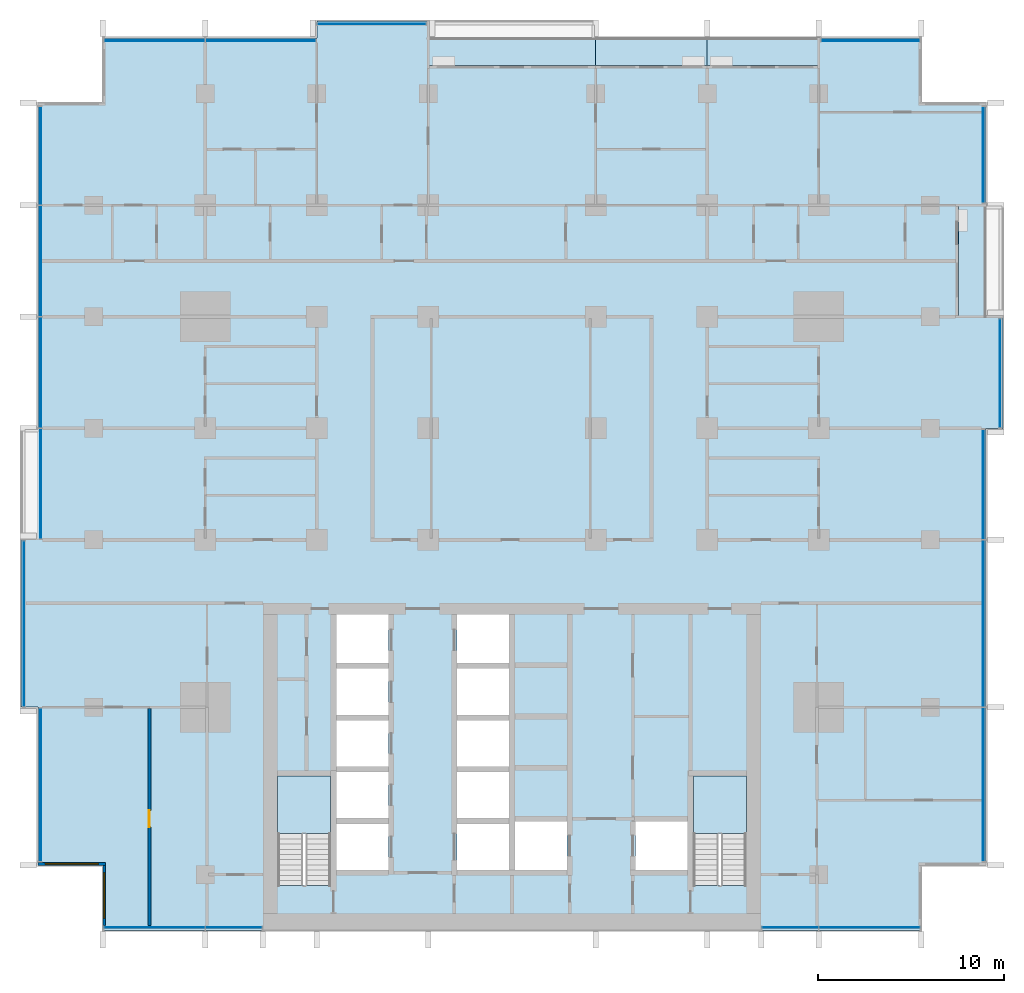
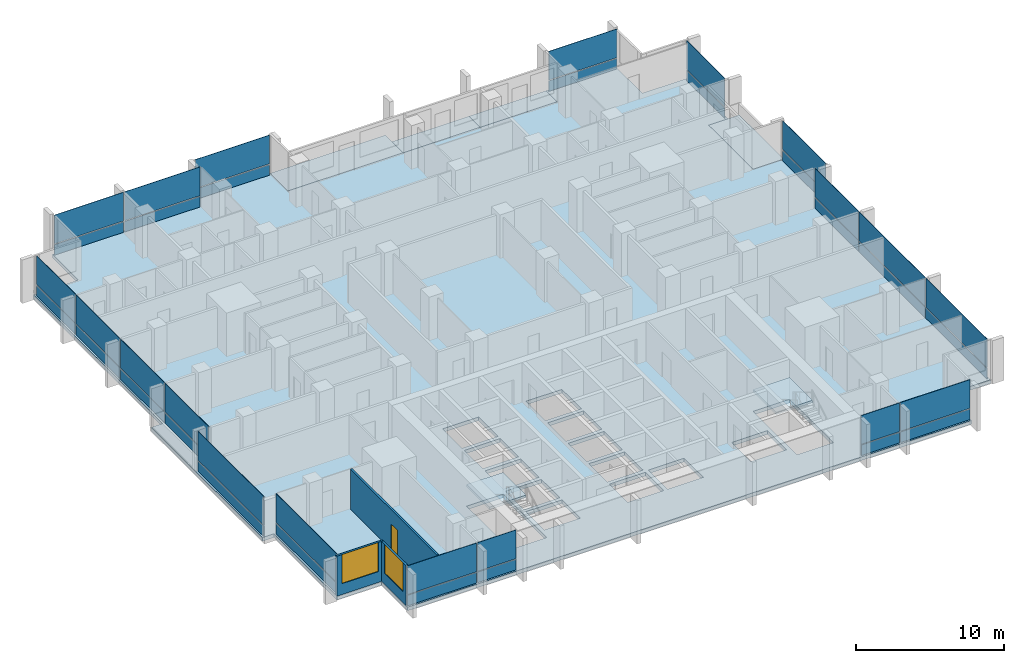
# One storey, part 6 of 17: 38 plates, 7 slabs, 3 walls, 2 windows, 1 door, 3 openings, 13 elements without a shape of their own.
"""IFC4 building model written with IfcOpenShell, lengths in metres."""

from ifc_helpers import new_model, si_unit, direction, frame, frame_2d, origin, origin_2d, place, context, subcontext, project, spatial, polyline, rectangle, outline, extrude, material, layer, layer_set, type_object, element, fill, aggregate, save


model = new_model("IFC4")

# Units and contexts
model_context = context("Model", 3, precision=1e-05, world=origin(), true_north=direction((0.0, 1.0)))
body_context = subcontext(model_context, "Body", "Model", "MODEL_VIEW")
ifc_project = project(units=[si_unit("LENGTHUNIT", "METRE"), si_unit("AREAUNIT", "SQUARE_METRE"), si_unit("VOLUMEUNIT", "CUBIC_METRE"), si_unit("PLANEANGLEUNIT", "RADIAN"), si_unit("MASSUNIT", "GRAM", prefix="KILO")], contexts=[model_context])

# Site, building, storey
site_placement = place(None, origin())
site = spatial("IfcSite", under=ifc_project, at=site_placement, CompositionType="ELEMENT")
building_placement = place(site_placement, origin())
building = spatial("IfcBuilding", under=site, at=building_placement, Name="Finial Court Residences", CompositionType="ELEMENT")
storey_placement = place(building_placement, frame((0.0, 0.0, 124.300048828125)))
storey = spatial("IfcBuildingStorey", under=building, at=storey_placement, Name="L31", CompositionType="ELEMENT", Elevation=124.300048828125)

# Slabs
ifc_material_1 = material(Name="Concrete C35/45", Category="concrete")
ifc_layer_1 = layer(ifc_material_1, 0.199951171875)
ifc_layer_set_1 = layer_set([ifc_layer_1], Name="Balcony slab, Concrete C35/45 200")
slab_type_1 = type_object("IfcSlabType", Name="Balcony slab, Concrete C35/45 200", PredefinedType="FLOOR", material=ifc_layer_set_1)
slab_1_placement = place(storey_placement, frame((0.0, 0.0, -0.199951171875)))
element("IfcSlab", 1, at=slab_1_placement, inside=storey, type_object=slab_type_1, Name="Balcony L31-N4", PredefinedType="FLOOR", context=body_context, shape_type="SweptSolid", body=[
    extrude(outline(polyline([(-4.5, 22.5), (-4.5, 23.39990234375), (4.5, 23.39990234375), (4.5, 22.5), (4.5, 21.0), (-4.5, 21.0), (-4.5, 22.5)])), origin(), (0.0, 0.0, 1.0), 0.199951171875),
])
slab_2_placement = place(storey_placement, frame((0.0, 0.0, -0.199951171875)))
element("IfcSlab", 2, at=slab_2_placement, inside=storey, type_object=slab_type_1, Name="Balcony L31-N5", PredefinedType="FLOOR", context=body_context, shape_type="SweptSolid", body=[
    extrude(outline(polyline([(10.5, 21.0), (10.5, 22.5), (4.5, 22.5), (4.5, 21.0), (10.5, 21.0)])), origin(), (0.0, 0.0, 1.0), 0.199951171875),
])
slab_3_placement = place(storey_placement, frame((0.0, 0.0, -0.199951171875)))
element("IfcSlab", 3, at=slab_3_placement, inside=storey, type_object=slab_type_1, Name="Balcony L31-N6", PredefinedType="FLOOR", context=body_context, shape_type="SweptSolid", body=[
    extrude(outline(polyline([(16.5, 21.0), (16.5, 22.5), (10.5, 22.5), (10.5, 21.0), (16.5, 21.0)])), origin(), (0.0, 0.0, 1.0), 0.199951171875),
])
slab_4_placement = place(storey_placement, frame((0.0, 0.0, -0.199951171875)))
element("IfcSlab", 4, at=slab_4_placement, inside=storey, type_object=slab_type_1, Name="Balcony L31-E5", PredefinedType="FLOOR", context=body_context, shape_type="SweptSolid", body=[
    extrude(outline(polyline([(24.0, 13.5), (25.5, 13.5), (26.39990234375, 13.5), (26.39990234375, 7.5), (25.5, 7.5), (24.0, 7.5), (24.0, 13.5)])), origin(), (0.0, 0.0, 1.0), 0.199951171875),
])

# Curtain wall, plates
ifc_material_2 = material(Name="Bronze anodised aluminium", Category="aluminium")
curtain_wall_type = type_object("IfcCurtainWallType", Name="Unitised curtain wall, lower and middle zones", PredefinedType="NOTDEFINED", material=ifc_material_2)
curtain_wall_1_placement = place(storey_placement, origin())
curtain_wall_1 = element("IfcCurtainWall", 5, at=curtain_wall_1_placement, inside=storey, type_object=curtain_wall_type, Name="E-L31-CW-N1", PredefinedType="NOTDEFINED")
ifc_layer_2 = layer(ifc_material_2, 0.0400390625)
ifc_layer_set_2 = layer_set([ifc_layer_2], Name="CW1 spandrel panel 40")
plate_type_1 = type_object("IfcPlateType", Name="CW1 spandrel panel 40", PredefinedType="CURTAIN_PANEL", material=ifc_layer_set_2)
plate_1_placement = place(storey_placement, frame((-19.23388671875, 22.35009765625, 0.0), z_axis=(0.0, 0.0, 1.0), x_axis=(1.0, 0.0, 0.0)))
plate_1 = element("IfcPlate", 6, at=plate_1_placement, type_object=plate_type_1, Name="CW1 spandrel 1.1", PredefinedType="CURTAIN_PANEL", context=body_context, shape_type="SweptSolid", body=[
    extrude(rectangle(XDim=5.402587890625, YDim=0.0400390625, at=origin_2d()), origin(), (0.0, 0.0, 1.0), 0.867431640625),
])
plate_2_placement = place(storey_placement, frame((-13.516357421875, 22.35009765625, 0.0), z_axis=(0.0, 0.0, 1.0), x_axis=(1.0, 0.0, 0.0)))
plate_2 = element("IfcPlate", 7, at=plate_2_placement, type_object=plate_type_1, Name="CW1 spandrel 2.1", PredefinedType="CURTAIN_PANEL", context=body_context, shape_type="SweptSolid", body=[
    extrude(rectangle(XDim=5.902587890625, YDim=0.0400390625, at=origin_2d()), origin(), (0.0, 0.0, 1.0), 0.867431640625),
])

# Curtain wall, plate
curtain_wall_2_placement = place(storey_placement, origin())
curtain_wall_2 = element("IfcCurtainWall", 8, at=curtain_wall_2_placement, inside=storey, type_object=curtain_wall_type, Name="E-L31-CW-N2", PredefinedType="NOTDEFINED")
plate_3_placement = place(storey_placement, frame((-7.53759765625, 23.25, 0.0), z_axis=(0.0, 0.0, 1.0), x_axis=(1.0, 0.0, 0.0)))
plate_3 = element("IfcPlate", 9, at=plate_3_placement, type_object=plate_type_1, Name="CW1 spandrel 1.1", PredefinedType="CURTAIN_PANEL", context=body_context, shape_type="SweptSolid", body=[
    extrude(rectangle(XDim=5.794921875, YDim=0.0400390625, at=origin_2d()), origin(), (0.0, 0.0, 1.0), 0.867431640625),
])

curtain_wall_3_placement = place(storey_placement, origin())
curtain_wall_3 = element("IfcCurtainWall", 10, at=curtain_wall_3_placement, inside=storey, type_object=curtain_wall_type, Name="E-L31-CW-N3", PredefinedType="NOTDEFINED")
plate_4_placement = place(storey_placement, frame((19.28759765625, 22.35009765625, 0.0), z_axis=(0.0, 0.0, 1.0), x_axis=(1.0, 0.0, 0.0)))
plate_4 = element("IfcPlate", 11, at=plate_4_placement, type_object=plate_type_1, Name="CW1 spandrel 1.1", PredefinedType="CURTAIN_PANEL", context=body_context, shape_type="SweptSolid", body=[
    extrude(rectangle(XDim=5.294921875, YDim=0.0400390625, at=origin_2d()), origin(), (0.0, 0.0, 1.0), 0.867431640625),
])

# Curtain wall, plates
curtain_wall_4_placement = place(storey_placement, origin())
curtain_wall_4 = element("IfcCurtainWall", 12, at=curtain_wall_4_placement, inside=storey, type_object=curtain_wall_type, Name="E-L31-CW-E4", PredefinedType="NOTDEFINED")
plate_5_placement = place(storey_placement, frame((25.35009765625, -17.65869140625, 0.0), z_axis=(0.0, 0.0, 1.0), x_axis=(0.0, 1.0, 0.0)))
plate_5 = element("IfcPlate", 13, at=plate_5_placement, type_object=plate_type_1, Name="CW1 spandrel 1.1", PredefinedType="CURTAIN_PANEL", context=body_context, shape_type="SweptSolid", body=[
    extrude(rectangle(XDim=8.25244140625, YDim=0.0400390625, at=origin_2d()), origin(), (0.0, 0.0, 1.0), 0.867431640625),
])
plate_6_placement = place(storey_placement, frame((25.35009765625, -9.0, 0.0), z_axis=(0.0, 0.0, 1.0), x_axis=(0.0, 1.0, 0.0)))
plate_6 = element("IfcPlate", 14, at=plate_6_placement, type_object=plate_type_1, Name="CW1 spandrel 2.1", PredefinedType="CURTAIN_PANEL", context=body_context, shape_type="SweptSolid", body=[
    extrude(rectangle(XDim=8.93505859375, YDim=0.0400390625, at=origin_2d()), origin(), (0.0, 0.0, 1.0), 0.867431640625),
])
plate_7_placement = place(storey_placement, frame((25.35009765625, -1.516357421875, 0.0), z_axis=(0.0, 0.0, 1.0), x_axis=(0.0, 1.0, 0.0)))
plate_7 = element("IfcPlate", 15, at=plate_7_placement, type_object=plate_type_1, Name="CW1 spandrel 3.1", PredefinedType="CURTAIN_PANEL", context=body_context, shape_type="SweptSolid", body=[
    extrude(rectangle(XDim=5.902587890625, YDim=0.0400390625, at=origin_2d()), origin(), (0.0, 0.0, 1.0), 0.867431640625),
])

# Curtain wall, plate
curtain_wall_5_placement = place(storey_placement, origin())
curtain_wall_5 = element("IfcCurtainWall", 16, at=curtain_wall_5_placement, inside=storey, type_object=curtain_wall_type, Name="E-L31-CW-E5", PredefinedType="NOTDEFINED")
plate_8_placement = place(storey_placement, frame((26.25, 4.46240234375, 0.0), z_axis=(0.0, 0.0, 1.0), x_axis=(0.0, 1.0, 0.0)))
plate_8 = element("IfcPlate", 17, at=plate_8_placement, type_object=plate_type_1, Name="CW1 spandrel 1.1", PredefinedType="CURTAIN_PANEL", context=body_context, shape_type="SweptSolid", body=[
    extrude(rectangle(XDim=5.794921875, YDim=0.0400390625, at=origin_2d()), origin(), (0.0, 0.0, 1.0), 0.867431640625),
])

curtain_wall_6_placement = place(storey_placement, origin())
curtain_wall_6 = element("IfcCurtainWall", 18, at=curtain_wall_6_placement, inside=storey, type_object=curtain_wall_type, Name="E-L31-CW-E6", PredefinedType="NOTDEFINED")
plate_9_placement = place(storey_placement, frame((25.35009765625, 16.21240234375, 0.0), z_axis=(0.0, 0.0, 1.0), x_axis=(0.0, 1.0, 0.0)))
plate_9 = element("IfcPlate", 19, at=plate_9_placement, type_object=plate_type_1, Name="CW1 spandrel 1.1", PredefinedType="CURTAIN_PANEL", context=body_context, shape_type="SweptSolid", body=[
    extrude(rectangle(XDim=5.14501953125, YDim=0.0400390625, at=origin_2d()), origin(), (0.0, 0.0, 1.0), 0.867431640625),
])

# Curtain wall, plates
curtain_wall_7_placement = place(storey_placement, origin())
curtain_wall_7 = element("IfcCurtainWall", 20, at=curtain_wall_7_placement, inside=storey, type_object=curtain_wall_type, Name="E-L31-CW-S7", PredefinedType="NOTDEFINED")
plate_10_placement = place(storey_placement, frame((-19.23388671875, -25.35009765625, 0.0), z_axis=(0.0, 0.0, 1.0), x_axis=(1.0, 0.0, 0.0)))
plate_10 = element("IfcPlate", 21, at=plate_10_placement, type_object=plate_type_1, Name="CW1 spandrel 1.1", PredefinedType="CURTAIN_PANEL", context=body_context, shape_type="SweptSolid", body=[
    extrude(rectangle(XDim=5.402587890625, YDim=0.0400390625, at=origin_2d()), origin(), (0.0, 0.0, 1.0), 0.867431640625),
])
plate_11_placement = place(storey_placement, frame((-14.96630859375, -25.35009765625, 0.0), z_axis=(0.0, 0.0, 1.0), x_axis=(1.0, 0.0, 0.0)))
plate_11 = element("IfcPlate", 22, at=plate_11_placement, type_object=plate_type_1, Name="CW1 spandrel 2.1", PredefinedType="CURTAIN_PANEL", context=body_context, shape_type="SweptSolid", body=[
    extrude(rectangle(XDim=3.00244140625, YDim=0.0400390625, at=origin_2d()), origin(), (0.0, 0.0, 1.0), 0.867431640625),
])

curtain_wall_8_placement = place(storey_placement, origin())
curtain_wall_8 = element("IfcCurtainWall", 23, at=curtain_wall_8_placement, inside=storey, type_object=curtain_wall_type, Name="E-L31-CW-S8", PredefinedType="NOTDEFINED")
plate_12_placement = place(storey_placement, frame((14.96630859375, -25.35009765625, 0.0), z_axis=(0.0, 0.0, 1.0), x_axis=(1.0, 0.0, 0.0)))
plate_12 = element("IfcPlate", 24, at=plate_12_placement, type_object=plate_type_1, Name="CW1 spandrel 1.1", PredefinedType="CURTAIN_PANEL", context=body_context, shape_type="SweptSolid", body=[
    extrude(rectangle(XDim=3.00244140625, YDim=0.0400390625, at=origin_2d()), origin(), (0.0, 0.0, 1.0), 0.867431640625),
])
plate_13_placement = place(storey_placement, frame((19.23388671875, -25.35009765625, 0.0), z_axis=(0.0, 0.0, 1.0), x_axis=(1.0, 0.0, 0.0)))
plate_13 = element("IfcPlate", 25, at=plate_13_placement, type_object=plate_type_1, Name="CW1 spandrel 2.1", PredefinedType="CURTAIN_PANEL", context=body_context, shape_type="SweptSolid", body=[
    extrude(rectangle(XDim=5.402587890625, YDim=0.0400390625, at=origin_2d()), origin(), (0.0, 0.0, 1.0), 0.867431640625),
])

# Curtain wall, plate
curtain_wall_9_placement = place(storey_placement, origin())
curtain_wall_9 = element("IfcCurtainWall", 26, at=curtain_wall_9_placement, inside=storey, type_object=curtain_wall_type, Name="E-L31-CW-W9", PredefinedType="NOTDEFINED")
plate_14_placement = place(storey_placement, frame((-25.35009765625, -17.675048828125, 0.0), z_axis=(0.0, 0.0, 1.0), x_axis=(0.0, 1.0, 0.0)))
plate_14 = element("IfcPlate", 27, at=plate_14_placement, type_object=plate_type_1, Name="CW1 spandrel 1.1", PredefinedType="CURTAIN_PANEL", context=body_context, shape_type="SweptSolid", body=[
    extrude(rectangle(XDim=8.219970703125, YDim=0.0400390625, at=origin_2d()), origin(), (0.0, 0.0, 1.0), 0.867431640625),
])

curtain_wall_10_placement = place(storey_placement, origin())
curtain_wall_10 = element("IfcCurtainWall", 28, at=curtain_wall_10_placement, inside=storey, type_object=curtain_wall_type, Name="E-L31-CW-W10", PredefinedType="NOTDEFINED")
plate_15_placement = place(storey_placement, frame((-26.25, -9.0, 0.0), z_axis=(0.0, 0.0, 1.0), x_axis=(0.0, 1.0, 0.0)))
plate_15 = element("IfcPlate", 29, at=plate_15_placement, type_object=plate_type_1, Name="CW1 spandrel 1.1", PredefinedType="CURTAIN_PANEL", context=body_context, shape_type="SweptSolid", body=[
    extrude(rectangle(XDim=8.8701171875, YDim=0.0400390625, at=origin_2d()), origin(), (0.0, 0.0, 1.0), 0.867431640625),
])

# Curtain wall, plates
curtain_wall_11_placement = place(storey_placement, origin())
curtain_wall_11 = element("IfcCurtainWall", 30, at=curtain_wall_11_placement, inside=storey, type_object=curtain_wall_type, Name="E-L31-CW-W11", PredefinedType="NOTDEFINED")
plate_16_placement = place(storey_placement, frame((-25.35009765625, -1.48388671875, 0.0), z_axis=(0.0, 0.0, 1.0), x_axis=(0.0, 1.0, 0.0)))
plate_16 = element("IfcPlate", 31, at=plate_16_placement, type_object=plate_type_1, Name="CW1 spandrel 1.1", PredefinedType="CURTAIN_PANEL", context=body_context, shape_type="SweptSolid", body=[
    extrude(rectangle(XDim=5.902587890625, YDim=0.0400390625, at=origin_2d()), origin(), (0.0, 0.0, 1.0), 0.867431640625),
])
plate_17_placement = place(storey_placement, frame((-25.35009765625, 4.5, 0.0), z_axis=(0.0, 0.0, 1.0), x_axis=(0.0, 1.0, 0.0)))
plate_17 = element("IfcPlate", 32, at=plate_17_placement, type_object=plate_type_1, Name="CW1 spandrel 2.1", PredefinedType="CURTAIN_PANEL", context=body_context, shape_type="SweptSolid", body=[
    extrude(rectangle(XDim=5.93505859375, YDim=0.0400390625, at=origin_2d()), origin(), (0.0, 0.0, 1.0), 0.867431640625),
])
plate_18_placement = place(storey_placement, frame((-25.35009765625, 10.5, 0.0), z_axis=(0.0, 0.0, 1.0), x_axis=(0.0, 1.0, 0.0)))
plate_18 = element("IfcPlate", 33, at=plate_18_placement, type_object=plate_type_1, Name="CW1 spandrel 3.1", PredefinedType="CURTAIN_PANEL", context=body_context, shape_type="SweptSolid", body=[
    extrude(rectangle(XDim=5.93505859375, YDim=0.0400390625, at=origin_2d()), origin(), (0.0, 0.0, 1.0), 0.867431640625),
])
plate_19_placement = place(storey_placement, frame((-25.35009765625, 16.15869140625, 0.0), z_axis=(0.0, 0.0, 1.0), x_axis=(0.0, 1.0, 0.0)))
plate_19 = element("IfcPlate", 34, at=plate_19_placement, type_object=plate_type_1, Name="CW1 spandrel 4.1", PredefinedType="CURTAIN_PANEL", context=body_context, shape_type="SweptSolid", body=[
    extrude(rectangle(XDim=5.25244140625, YDim=0.0400390625, at=origin_2d()), origin(), (0.0, 0.0, 1.0), 0.867431640625),
])

# Plate
ifc_material_3 = material(Name="Clear low-e glass", Category="glass")
ifc_layer_3 = layer(ifc_material_3, 0.031982421875)
ifc_layer_set_3 = layer_set([ifc_layer_3], Name="CW1 vision glass 32")
plate_type_2 = type_object("IfcPlateType", Name="CW1 vision glass 32", PredefinedType="CURTAIN_PANEL", material=ifc_layer_set_3)
plate_20_placement = place(storey_placement, frame((-19.23388671875, 22.35009765625, 0.9326171875), z_axis=(0.0, 0.0, 1.0), x_axis=(1.0, 0.0, 0.0)))
plate_20 = element("IfcPlate", 35, at=plate_20_placement, type_object=plate_type_2, Name="CW1 glass 1.2", PredefinedType="CURTAIN_PANEL", context=body_context, shape_type="SweptSolid", body=[
    extrude(rectangle(XDim=5.402587890625, YDim=0.031982421875, at=origin_2d()), origin(), (0.0, 0.0, 1.0), 2.367431640625),
])

plate_21_placement = place(storey_placement, frame((-13.516357421875, 22.35009765625, 0.9326171875), z_axis=(0.0, 0.0, 1.0), x_axis=(1.0, 0.0, 0.0)))
plate_21 = element("IfcPlate", 36, at=plate_21_placement, type_object=plate_type_2, Name="CW1 glass 2.2", PredefinedType="CURTAIN_PANEL", context=body_context, shape_type="SweptSolid", body=[
    extrude(rectangle(XDim=5.902587890625, YDim=0.031982421875, at=origin_2d()), origin(), (0.0, 0.0, 1.0), 2.367431640625),
])

aggregate(curtain_wall_1, [plate_1, plate_20, plate_2, plate_21])

plate_22_placement = place(storey_placement, frame((-7.53759765625, 23.25, 0.9326171875), z_axis=(0.0, 0.0, 1.0), x_axis=(1.0, 0.0, 0.0)))
plate_22 = element("IfcPlate", 37, at=plate_22_placement, type_object=plate_type_2, Name="CW1 glass 1.2", PredefinedType="CURTAIN_PANEL", context=body_context, shape_type="SweptSolid", body=[
    extrude(rectangle(XDim=5.794921875, YDim=0.031982421875, at=origin_2d()), origin(), (0.0, 0.0, 1.0), 2.367431640625),
])

aggregate(curtain_wall_2, [plate_3, plate_22])

plate_23_placement = place(storey_placement, frame((19.28759765625, 22.35009765625, 0.9326171875), z_axis=(0.0, 0.0, 1.0), x_axis=(1.0, 0.0, 0.0)))
plate_23 = element("IfcPlate", 38, at=plate_23_placement, type_object=plate_type_2, Name="CW1 glass 1.2", PredefinedType="CURTAIN_PANEL", context=body_context, shape_type="SweptSolid", body=[
    extrude(rectangle(XDim=5.294921875, YDim=0.031982421875, at=origin_2d()), origin(), (0.0, 0.0, 1.0), 2.367431640625),
])

aggregate(curtain_wall_3, [plate_4, plate_23])

plate_24_placement = place(storey_placement, frame((25.35009765625, -17.65869140625, 0.9326171875), z_axis=(0.0, 0.0, 1.0), x_axis=(0.0, 1.0, 0.0)))
plate_24 = element("IfcPlate", 39, at=plate_24_placement, type_object=plate_type_2, Name="CW1 glass 1.2", PredefinedType="CURTAIN_PANEL", context=body_context, shape_type="SweptSolid", body=[
    extrude(rectangle(XDim=8.25244140625, YDim=0.031982421875, at=origin_2d()), origin(), (0.0, 0.0, 1.0), 2.367431640625),
])

plate_25_placement = place(storey_placement, frame((25.35009765625, -9.0, 0.9326171875), z_axis=(0.0, 0.0, 1.0), x_axis=(0.0, 1.0, 0.0)))
plate_25 = element("IfcPlate", 40, at=plate_25_placement, type_object=plate_type_2, Name="CW1 glass 2.2", PredefinedType="CURTAIN_PANEL", context=body_context, shape_type="SweptSolid", body=[
    extrude(rectangle(XDim=8.93505859375, YDim=0.031982421875, at=origin_2d()), origin(), (0.0, 0.0, 1.0), 2.367431640625),
])

plate_26_placement = place(storey_placement, frame((25.35009765625, -1.516357421875, 0.9326171875), z_axis=(0.0, 0.0, 1.0), x_axis=(0.0, 1.0, 0.0)))
plate_26 = element("IfcPlate", 41, at=plate_26_placement, type_object=plate_type_2, Name="CW1 glass 3.2", PredefinedType="CURTAIN_PANEL", context=body_context, shape_type="SweptSolid", body=[
    extrude(rectangle(XDim=5.902587890625, YDim=0.031982421875, at=origin_2d()), origin(), (0.0, 0.0, 1.0), 2.367431640625),
])

aggregate(curtain_wall_4, [plate_5, plate_24, plate_6, plate_25, plate_7, plate_26])

plate_27_placement = place(storey_placement, frame((26.25, 4.46240234375, 0.9326171875), z_axis=(0.0, 0.0, 1.0), x_axis=(0.0, 1.0, 0.0)))
plate_27 = element("IfcPlate", 42, at=plate_27_placement, type_object=plate_type_2, Name="CW1 glass 1.2", PredefinedType="CURTAIN_PANEL", context=body_context, shape_type="SweptSolid", body=[
    extrude(rectangle(XDim=5.794921875, YDim=0.031982421875, at=origin_2d()), origin(), (0.0, 0.0, 1.0), 2.367431640625),
])

aggregate(curtain_wall_5, [plate_8, plate_27])

plate_28_placement = place(storey_placement, frame((25.35009765625, 16.21240234375, 0.9326171875), z_axis=(0.0, 0.0, 1.0), x_axis=(0.0, 1.0, 0.0)))
plate_28 = element("IfcPlate", 43, at=plate_28_placement, type_object=plate_type_2, Name="CW1 glass 1.2", PredefinedType="CURTAIN_PANEL", context=body_context, shape_type="SweptSolid", body=[
    extrude(rectangle(XDim=5.14501953125, YDim=0.031982421875, at=origin_2d()), origin(), (0.0, 0.0, 1.0), 2.367431640625),
])

aggregate(curtain_wall_6, [plate_9, plate_28])

plate_29_placement = place(storey_placement, frame((-19.23388671875, -25.35009765625, 0.9326171875), z_axis=(0.0, 0.0, 1.0), x_axis=(1.0, 0.0, 0.0)))
plate_29 = element("IfcPlate", 44, at=plate_29_placement, type_object=plate_type_2, Name="CW1 glass 1.2", PredefinedType="CURTAIN_PANEL", context=body_context, shape_type="SweptSolid", body=[
    extrude(rectangle(XDim=5.402587890625, YDim=0.031982421875, at=origin_2d()), origin(), (0.0, 0.0, 1.0), 2.367431640625),
])

plate_30_placement = place(storey_placement, frame((-14.96630859375, -25.35009765625, 0.9326171875), z_axis=(0.0, 0.0, 1.0), x_axis=(1.0, 0.0, 0.0)))
plate_30 = element("IfcPlate", 45, at=plate_30_placement, type_object=plate_type_2, Name="CW1 glass 2.2", PredefinedType="CURTAIN_PANEL", context=body_context, shape_type="SweptSolid", body=[
    extrude(rectangle(XDim=3.00244140625, YDim=0.031982421875, at=origin_2d()), origin(), (0.0, 0.0, 1.0), 2.367431640625),
])

aggregate(curtain_wall_7, [plate_10, plate_29, plate_11, plate_30])

plate_31_placement = place(storey_placement, frame((14.96630859375, -25.35009765625, 0.9326171875), z_axis=(0.0, 0.0, 1.0), x_axis=(1.0, 0.0, 0.0)))
plate_31 = element("IfcPlate", 46, at=plate_31_placement, type_object=plate_type_2, Name="CW1 glass 1.2", PredefinedType="CURTAIN_PANEL", context=body_context, shape_type="SweptSolid", body=[
    extrude(rectangle(XDim=3.00244140625, YDim=0.031982421875, at=origin_2d()), origin(), (0.0, 0.0, 1.0), 2.367431640625),
])

plate_32_placement = place(storey_placement, frame((19.23388671875, -25.35009765625, 0.9326171875), z_axis=(0.0, 0.0, 1.0), x_axis=(1.0, 0.0, 0.0)))
plate_32 = element("IfcPlate", 47, at=plate_32_placement, type_object=plate_type_2, Name="CW1 glass 2.2", PredefinedType="CURTAIN_PANEL", context=body_context, shape_type="SweptSolid", body=[
    extrude(rectangle(XDim=5.402587890625, YDim=0.031982421875, at=origin_2d()), origin(), (0.0, 0.0, 1.0), 2.367431640625),
])

aggregate(curtain_wall_8, [plate_12, plate_31, plate_13, plate_32])

plate_33_placement = place(storey_placement, frame((-25.35009765625, -17.675048828125, 0.9326171875), z_axis=(0.0, 0.0, 1.0), x_axis=(0.0, 1.0, 0.0)))
plate_33 = element("IfcPlate", 48, at=plate_33_placement, type_object=plate_type_2, Name="CW1 glass 1.2", PredefinedType="CURTAIN_PANEL", context=body_context, shape_type="SweptSolid", body=[
    extrude(rectangle(XDim=8.219970703125, YDim=0.031982421875, at=origin_2d()), origin(), (0.0, 0.0, 1.0), 2.367431640625),
])

aggregate(curtain_wall_9, [plate_14, plate_33])

plate_34_placement = place(storey_placement, frame((-26.25, -9.0, 0.9326171875), z_axis=(0.0, 0.0, 1.0), x_axis=(0.0, 1.0, 0.0)))
plate_34 = element("IfcPlate", 49, at=plate_34_placement, type_object=plate_type_2, Name="CW1 glass 1.2", PredefinedType="CURTAIN_PANEL", context=body_context, shape_type="SweptSolid", body=[
    extrude(rectangle(XDim=8.8701171875, YDim=0.031982421875, at=origin_2d()), origin(), (0.0, 0.0, 1.0), 2.367431640625),
])

aggregate(curtain_wall_10, [plate_15, plate_34])

plate_35_placement = place(storey_placement, frame((-25.35009765625, -1.48388671875, 0.9326171875), z_axis=(0.0, 0.0, 1.0), x_axis=(0.0, 1.0, 0.0)))
plate_35 = element("IfcPlate", 50, at=plate_35_placement, type_object=plate_type_2, Name="CW1 glass 1.2", PredefinedType="CURTAIN_PANEL", context=body_context, shape_type="SweptSolid", body=[
    extrude(rectangle(XDim=5.902587890625, YDim=0.031982421875, at=origin_2d()), origin(), (0.0, 0.0, 1.0), 2.367431640625),
])

plate_36_placement = place(storey_placement, frame((-25.35009765625, 4.5, 0.9326171875), z_axis=(0.0, 0.0, 1.0), x_axis=(0.0, 1.0, 0.0)))
plate_36 = element("IfcPlate", 51, at=plate_36_placement, type_object=plate_type_2, Name="CW1 glass 2.2", PredefinedType="CURTAIN_PANEL", context=body_context, shape_type="SweptSolid", body=[
    extrude(rectangle(XDim=5.93505859375, YDim=0.031982421875, at=origin_2d()), origin(), (0.0, 0.0, 1.0), 2.367431640625),
])

plate_37_placement = place(storey_placement, frame((-25.35009765625, 10.5, 0.9326171875), z_axis=(0.0, 0.0, 1.0), x_axis=(0.0, 1.0, 0.0)))
plate_37 = element("IfcPlate", 52, at=plate_37_placement, type_object=plate_type_2, Name="CW1 glass 3.2", PredefinedType="CURTAIN_PANEL", context=body_context, shape_type="SweptSolid", body=[
    extrude(rectangle(XDim=5.93505859375, YDim=0.031982421875, at=origin_2d()), origin(), (0.0, 0.0, 1.0), 2.367431640625),
])

plate_38_placement = place(storey_placement, frame((-25.35009765625, 16.15869140625, 0.9326171875), z_axis=(0.0, 0.0, 1.0), x_axis=(0.0, 1.0, 0.0)))
plate_38 = element("IfcPlate", 53, at=plate_38_placement, type_object=plate_type_2, Name="CW1 glass 4.2", PredefinedType="CURTAIN_PANEL", context=body_context, shape_type="SweptSolid", body=[
    extrude(rectangle(XDim=5.25244140625, YDim=0.031982421875, at=origin_2d()), origin(), (0.0, 0.0, 1.0), 2.367431640625),
])

aggregate(curtain_wall_11, [plate_16, plate_35, plate_17, plate_36, plate_18, plate_37, plate_19, plate_38])

# Stair, slab
ifc_material_4 = material(Name="Concrete C50/60", Category="concrete")
stair_type = type_object("IfcStairType", Name="Exit stair 22 risers of 163.6 mm", PredefinedType="HALF_TURN_STAIR", material=ifc_material_4)
stair_1_placement = place(storey_placement, origin())
stair_1 = element("IfcStair", 54, at=stair_1_placement, inside=storey, type_object=stair_type, Name="L31 Exit stair ST-1", PredefinedType="HALF_TURN_STAIR")
ifc_layer_4 = layer(ifc_material_4, 0.199951171875)
ifc_layer_set_4 = layer_set([ifc_layer_4], Name="Exit stair landing")
slab_type_2 = type_object("IfcSlabType", Name="Exit stair landing", PredefinedType="LANDING", material=ifc_layer_set_4)
slab_5_placement = place(storey_placement, frame((0.0, 0.0, 1.599853515625)))
slab_5 = element("IfcSlab", 55, at=slab_5_placement, type_object=slab_type_2, Name="ST-1 landing 1", PredefinedType="LANDING", context=body_context, shape_type="SweptSolid", body=[
    extrude(outline(polyline([(-9.75, -20.300048828125), (-9.75, -17.199951171875), (-12.60009765625, -17.199951171875), (-12.60009765625, -20.300048828125), (-9.75, -20.300048828125)])), origin(), (0.0, 0.0, 1.0), 0.2001953125),
])
aggregate(stair_1, [slab_5])

stair_2_placement = place(storey_placement, origin())
stair_2 = element("IfcStair", 56, at=stair_2_placement, inside=storey, type_object=stair_type, Name="L31 Exit stair ST-2", PredefinedType="HALF_TURN_STAIR")
slab_6_placement = place(storey_placement, frame((0.0, 0.0, 1.599853515625)))
slab_6 = element("IfcSlab", 57, at=slab_6_placement, type_object=slab_type_2, Name="ST-2 landing 1", PredefinedType="LANDING", context=body_context, shape_type="SweptSolid", body=[
    extrude(outline(polyline([(12.60009765625, -20.300048828125), (12.60009765625, -17.199951171875), (9.75, -17.199951171875), (9.75, -20.300048828125), (12.60009765625, -20.300048828125)])), origin(), (0.0, 0.0, 1.0), 0.2001953125),
])
aggregate(stair_2, [slab_6])

# Slab
ifc_material_5 = material(Name="Concrete C40/50", Category="concrete")
ifc_layer_5 = layer(ifc_material_5, 0.300048828125)
ifc_layer_set_5 = layer_set([ifc_layer_5], Name="Flat plate slab 300 Concrete C40/50")
slab_type_3 = type_object("IfcSlabType", Name="Flat plate slab 300 Concrete C40/50", PredefinedType="FLOOR", material=ifc_layer_set_5)
slab_7_placement = place(storey_placement, frame((0.0, 0.0, -0.300048828125)))
element("IfcSlab", 58, at=slab_7_placement, inside=storey, type_object=slab_type_3, Name="S:SLAB:L31", PredefinedType="FLOOR", context=body_context, shape_type="SweptSolid", body=[
    extrude(outline(polyline([(-26.39990234375, 1.5), (-25.5, 1.5), (-25.5, 19.0), (-22.0, 19.0), (-22.0, 22.5), (-10.5, 22.5), (-10.5, 23.39990234375), (-4.5, 23.39990234375), (-4.5, 22.5), (-4.5, 21.0), (4.5, 21.0), (10.5, 21.0), (16.5, 21.0), (16.5, 22.5), (22.0, 22.5), (22.0, 19.0), (25.5, 19.0), (25.5, 13.5), (24.0, 13.5), (24.0, 7.5), (25.5, 7.5), (26.39990234375, 7.5), (26.39990234375, 1.5), (25.5, 1.5), (25.5, -22.0), (22.0, -22.0), (22.0, -25.5), (-22.0, -25.5), (-22.0, -22.0), (-25.5, -22.0), (-25.5, -13.5), (-26.39990234375, -13.5), (-26.39990234375, -4.5), (-26.39990234375, 1.5)]), holes=[polyline([(-6.64990234375, -19.77001953125), (-9.449951171875, -19.77001953125), (-9.449951171875, -22.25), (-6.64990234375, -22.25), (-6.64990234375, -19.77001953125)]), polyline([(-9.75, -17.199951171875), (-12.60009765625, -17.199951171875), (-12.60009765625, -23.09912109375), (-9.75, -23.09912109375), (-9.75, -17.199951171875)]), polyline([(-6.64990234375, -19.469970703125), (-6.64990234375, -16.989990234375), (-9.449951171875, -16.989990234375), (-9.449951171875, -19.469970703125), (-6.64990234375, -19.469970703125)]), polyline([(-6.64990234375, -16.68994140625), (-6.64990234375, -14.2099609375), (-9.449951171875, -14.2099609375), (-9.449951171875, -16.68994140625), (-6.64990234375, -16.68994140625)]), polyline([(-6.64990234375, -13.909912109375), (-6.64990234375, -11.429931640625), (-9.449951171875, -11.429931640625), (-9.449951171875, -13.909912109375), (-6.64990234375, -13.909912109375)]), polyline([(-6.64990234375, -11.1298828125), (-6.64990234375, -8.5), (-9.449951171875, -8.5), (-9.449951171875, -11.1298828125), (-6.64990234375, -11.1298828125)]), polyline([(-0.14990234375, -11.1298828125), (-0.14990234375, -8.5), (-2.949951171875, -8.5), (-2.949951171875, -11.1298828125), (-0.14990234375, -11.1298828125)]), polyline([(-0.14990234375, -19.77001953125), (-2.949951171875, -19.77001953125), (-2.949951171875, -22.25), (-0.14990234375, -22.25), (-0.14990234375, -19.77001953125)]), polyline([(2.949951171875, -22.25), (2.949951171875, -19.64990234375), (0.14990234375, -19.64990234375), (0.14990234375, -22.25), (2.949951171875, -22.25)]), polyline([(9.449951171875, -22.25), (9.449951171875, -19.64990234375), (6.64990234375, -19.64990234375), (6.64990234375, -22.25), (9.449951171875, -22.25)]), polyline([(12.60009765625, -17.199951171875), (9.75, -17.199951171875), (9.75, -23.09912109375), (12.60009765625, -23.09912109375), (12.60009765625, -17.199951171875)]), polyline([(-0.14990234375, -19.469970703125), (-0.14990234375, -16.989990234375), (-2.949951171875, -16.989990234375), (-2.949951171875, -19.469970703125), (-0.14990234375, -19.469970703125)]), polyline([(-0.14990234375, -16.68994140625), (-0.14990234375, -14.2099609375), (-2.949951171875, -14.2099609375), (-2.949951171875, -16.68994140625), (-0.14990234375, -16.68994140625)]), polyline([(-0.14990234375, -13.909912109375), (-0.14990234375, -11.429931640625), (-2.949951171875, -11.429931640625), (-2.949951171875, -13.909912109375), (-0.14990234375, -13.909912109375)])]), origin(), (0.0, 0.0, 1.0), 0.300048828125),
])

# Wall, opening, door
ifc_material_6 = material(Name="Moisture-resistant gypsum board")
ifc_layer_6 = layer(ifc_material_6, 0.012451171875)
ifc_material_7 = material(Name="Mineral wool in light-gauge frame")
ifc_layer_7 = layer(ifc_material_7, 0.125)
ifc_layer_8 = layer(ifc_material_6, 0.012451171875)
ifc_layer_set_6 = layer_set([ifc_layer_6, ifc_layer_7, ifc_layer_8], Name="Gypsum board wet-area partition 150")
wall_type_1 = type_object("IfcWallType", Name="Gypsum board wet-area partition 150", PredefinedType="PARTITIONING", material=ifc_layer_set_6)
wall_1_placement = place(storey_placement, frame((-19.5, -25.25, 0.0), z_axis=(0.0, 0.0, 1.0), x_axis=(0.0, 1.0, 0.0)))
wall_1 = element("IfcWall", 59, at=wall_1_placement, inside=storey, type_object=wall_type_1, Name="Partition L31-044", PredefinedType="PARTITIONING", context=body_context, shape_type="SweptSolid", body=[
    extrude(rectangle(XDim=11.675048828125, YDim=0.14990234375, at=frame_2d((5.83740234375, 0.0))), origin(), (0.0, 0.0, 1.0), 3.300048828125),
])
opening_1_placement = place(wall_1_placement, frame((5.300048828125, 0.0, 0.0)))
opening_1 = element("IfcOpeningElement", 60, at=opening_1_placement, cuts=wall_1, Name="Opening L31-D023", PredefinedType="OPENING", context=body_context, shape_type="SweptSolid", body=[
    extrude(rectangle(XDim=0.89990234375, YDim=2.10009765625, at=frame_2d((0.449951171875, 1.050048828125))), frame((0.0, 0.0849609375, 0.0), z_axis=(0.0, -1.0, 0.0), x_axis=(1.0, 0.0, 0.0)), (0.0, 0.0, 1.0), 0.169921875),
])
ifc_material_8 = material(Name="Timber door leaf in timber frame", Category="wood")
door_type = type_object("IfcDoorType", Name="Door set 900 x 2100", OperationType="SINGLE_SWING_LEFT", PredefinedType="DOOR", material=ifc_material_8)
door_placement = place(opening_1_placement, origin())
door = element("IfcDoor", 61, at=door_placement, inside=storey, type_object=door_type, Name="Door L31-D023", OperationType="SINGLE_SWING_RIGHT", OverallHeight=2.10009765625, OverallWidth=0.89990234375, PredefinedType="DOOR", context=body_context, shape_type="SweptSolid", body=[
    extrude(rectangle(XDim=0.89990234375, YDim=2.10009765625, at=frame_2d((0.449951171875, 1.050048828125))), frame((0.0, 0.02490234375, 0.0), z_axis=(0.0, -1.0, 0.0), x_axis=(1.0, 0.0, 0.0)), (0.0, 0.0, 1.0), 0.050048828125),
])
fill(opening_1, door)

# Wall, opening, window
ifc_material_9 = material(Name="Natural limestone", Category="masonry")
ifc_layer_9 = layer(ifc_material_9, 0.14990234375)
ifc_layer_set_7 = layer_set([ifc_layer_9], Name="Limestone clad wall 150")
wall_type_2 = type_object("IfcWallType", Name="Limestone clad wall 150", PredefinedType="SOLIDWALL", material=ifc_layer_set_7)
wall_2_placement = place(storey_placement, frame((-21.925048828125, -25.25, 0.0), z_axis=(0.0, 0.0, 1.0), x_axis=(0.0, 1.0, 0.0)))
wall_2 = element("IfcWall", 62, at=wall_2_placement, inside=storey, type_object=wall_type_2, Name="E-L31-NWW12", PredefinedType="SOLIDWALL", context=body_context, shape_type="SweptSolid", body=[
    extrude(rectangle(XDim=3.25, YDim=0.14990234375, at=frame_2d((1.625, 0.0))), origin(), (0.0, 0.0, 1.0), 3.300048828125),
])
opening_2_placement = place(wall_2_placement, frame((0.39990234375, 0.0, 0.89990234375)))
opening_2 = element("IfcOpeningElement", 63, at=opening_2_placement, cuts=wall_2, Name="Opening WE31-01", PredefinedType="OPENING", context=body_context, shape_type="SweptSolid", body=[
    extrude(rectangle(XDim=2.449951171875, YDim=2.39990234375, at=frame_2d((1.22509765625, 1.199951171875))), frame((0.0, 0.0849609375, 0.0), z_axis=(0.0, -1.0, 0.0), x_axis=(1.0, 0.0, 0.0)), (0.0, 0.0, 1.0), 0.169921875),
])
window_type_1 = type_object("IfcWindowType", Name="Corner window 2450 x 2400", PartitioningType="SINGLE_PANEL", PredefinedType="WINDOW", material=ifc_material_3)
window_1_placement = place(opening_2_placement, origin())
window_1 = element("IfcWindow", 64, at=window_1_placement, inside=storey, type_object=window_type_1, Name="E-L31-NWW12-W1", OverallHeight=2.39990234375, OverallWidth=2.449951171875, PartitioningType="SINGLE_PANEL", PredefinedType="WINDOW", context=body_context, shape_type="SweptSolid", body=[
    extrude(rectangle(XDim=2.449951171875, YDim=2.39990234375, at=frame_2d((1.22509765625, 1.199951171875))), frame((0.0, 0.030029296875, 0.0), z_axis=(0.0, -1.0, 0.0), x_axis=(1.0, 0.0, 0.0)), (0.0, 0.0, 1.0), 0.06005859375),
])
fill(opening_2, window_1)

wall_3_placement = place(storey_placement, frame((-21.85009765625, -21.925048828125, 0.0), z_axis=(0.0, 0.0, 1.0), x_axis=(-1.0, 0.0, 0.0)))
wall_3 = element("IfcWall", 65, at=wall_3_placement, inside=storey, type_object=wall_type_2, Name="E-L31-NWS13", PredefinedType="SOLIDWALL", context=body_context, shape_type="SweptSolid", body=[
    extrude(rectangle(XDim=3.64990234375, YDim=0.14990234375, at=frame_2d((1.824951171875, 0.0))), origin(), (0.0, 0.0, 1.0), 3.300048828125),
])
opening_3_placement = place(wall_3_placement, frame((0.39990234375, 0.0, 0.89990234375)))
opening_3 = element("IfcOpeningElement", 66, at=opening_3_placement, cuts=wall_3, Name="Opening WE31-02", PredefinedType="OPENING", context=body_context, shape_type="SweptSolid", body=[
    extrude(rectangle(XDim=2.85009765625, YDim=2.39990234375, at=frame_2d((1.425048828125, 1.199951171875))), frame((0.0, 0.0849609375, 0.0), z_axis=(0.0, -1.0, 0.0), x_axis=(1.0, 0.0, 0.0)), (0.0, 0.0, 1.0), 0.169921875),
])
window_type_2 = type_object("IfcWindowType", Name="Corner window 2850 x 2400", PartitioningType="SINGLE_PANEL", PredefinedType="WINDOW", material=ifc_material_3)
window_2_placement = place(opening_3_placement, origin())
window_2 = element("IfcWindow", 67, at=window_2_placement, inside=storey, type_object=window_type_2, Name="E-L31-NWS13-W1", OverallHeight=2.39990234375, OverallWidth=2.85009765625, PartitioningType="SINGLE_PANEL", PredefinedType="WINDOW", context=body_context, shape_type="SweptSolid", body=[
    extrude(rectangle(XDim=2.85009765625, YDim=2.39990234375, at=frame_2d((1.425048828125, 1.199951171875))), frame((0.0, 0.030029296875, 0.0), z_axis=(0.0, -1.0, 0.0), x_axis=(1.0, 0.0, 0.0)), (0.0, 0.0, 1.0), 0.06005859375),
])
fill(opening_3, window_2)

save(model, "model.ifc")
